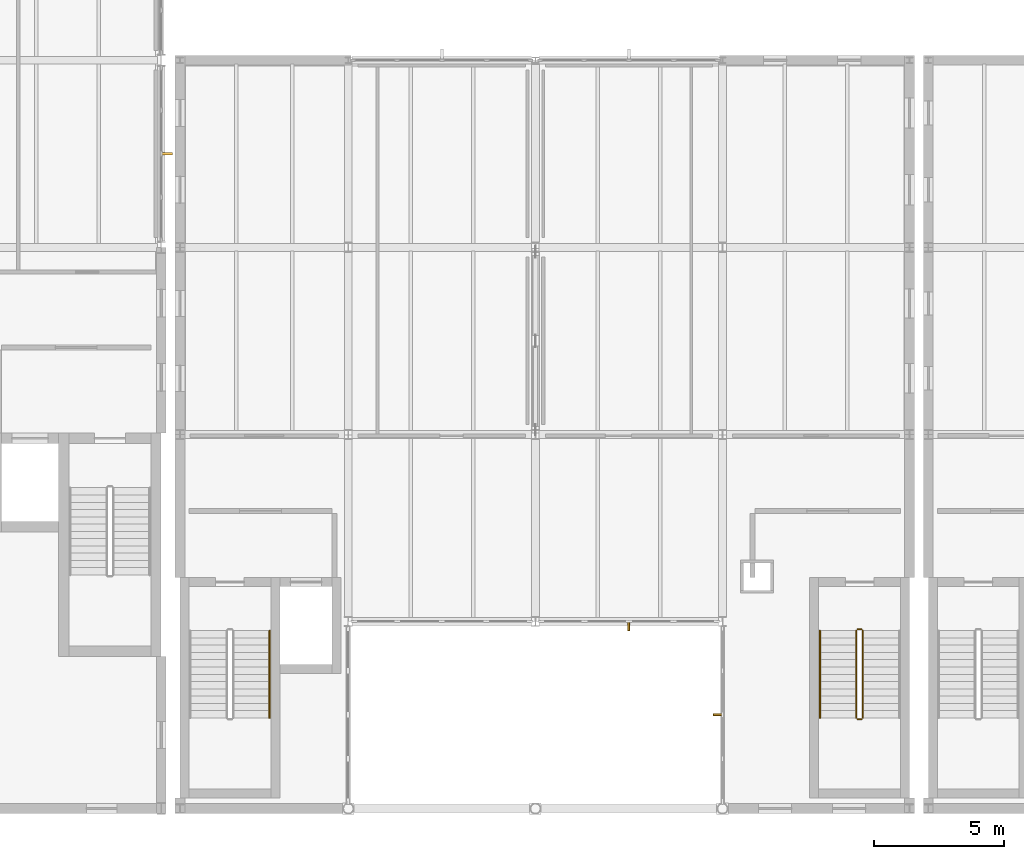
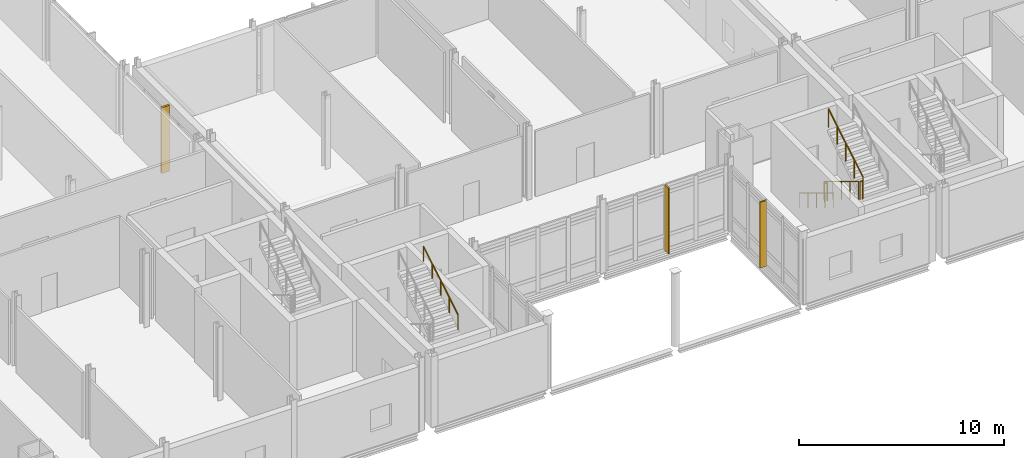
# One storey, part 65 of 72: 6 railings, 3 shading devices.
"""IFC4 building model written with IfcOpenShell, lengths in metres."""

from ifc_helpers import new_model, si_unit, direction, frame, origin, origin_2d, place, context, subcontext, project, spatial, rectangle, circle, extrude, material, layer, layer_set, type_object, element, save


model = new_model("IFC4")

# Units and contexts
model_context = context("Model", 3, precision=1e-05, world=origin(), true_north=direction((0.0, 1.0)))
body_context = subcontext(model_context, "Body", "Model", "MODEL_VIEW")
ifc_project = project(units=[si_unit("LENGTHUNIT", "METRE"), si_unit("AREAUNIT", "SQUARE_METRE"), si_unit("VOLUMEUNIT", "CUBIC_METRE"), si_unit("PLANEANGLEUNIT", "RADIAN"), si_unit("MASSUNIT", "GRAM", prefix="KILO")], contexts=[model_context])

# Site, building, storey
site_placement = place(None, origin())
site = spatial("IfcSite", under=ifc_project, at=site_placement, CompositionType="ELEMENT")
building_placement = place(site_placement, origin())
building = spatial("IfcBuilding", under=site, at=building_placement, Name="Zarrinpeak Specialist Clinic", CompositionType="ELEMENT")
storey_placement = place(building_placement, frame((0.0, 0.0, 9.60009765625)))
storey = spatial("IfcBuildingStorey", under=building, at=storey_placement, Name="L02", CompositionType="ELEMENT", Elevation=9.60009765625)

# Railings
ifc_material_1 = material(Name="Laminated Safety Glass and Stainless Steel 316", Category="steel")
ifc_layer_1 = layer(ifc_material_1, 0.06005859375)
ifc_layer_set_1 = layer_set([ifc_layer_1], Name="Laminated Safety Glass and Stainless Steel 316")
railing_type_1 = type_object("IfcRailingType", Name="RL-GRD115", PredefinedType="GUARDRAIL", material=ifc_layer_set_1)
railing_1_placement = place(storey_placement, frame((55.550048828125, 6.85009765625, 0.169189453125)))
element("IfcRailing", 1, at=railing_1_placement, inside=storey, type_object=railing_type_1, Name="L02 ST-04 stair guard 1", PredefinedType="GUARDRAIL", context=body_context, shape_type="SweptSolid", body=[
    extrude(circle(Radius=0.02392578125, at=origin_2d()), frame((0.0, 0.0, 1.076171875), z_axis=(0.0, -0.855836976705, 0.517245656632), x_axis=(1.0, 0.0, 0.0)), (0.0, 0.0, 1.0), 3.926025390625),
    extrude(circle(Radius=0.02099609375, at=origin_2d()), origin(), (0.0, 0.0, 1.0), 1.052001953125),
    extrude(circle(Radius=0.02099609375, at=origin_2d()), frame((0.0, -0.840087890625, 0.5078125)), (0.0, 0.0, 1.0), 1.052001953125),
    extrude(circle(Radius=0.02099609375, at=origin_2d()), frame((0.0, -1.68017578125, 1.015380859375)), (0.0, 0.0, 1.0), 1.052001953125),
    extrude(circle(Radius=0.02099609375, at=origin_2d()), frame((0.0, -2.52001953125, 1.52294921875)), (0.0, 0.0, 1.0), 1.052001953125),
    extrude(circle(Radius=0.02099609375, at=origin_2d()), frame((0.0, -3.360107421875, 2.03076171875)), (0.0, 0.0, 1.0), 1.052001953125),
])
railing_2_placement = place(storey_placement, frame((55.60009765625, 3.43994140625, 2.199951171875)))
element("IfcRailing", 2, at=railing_2_placement, inside=storey, type_object=railing_type_1, Name="L02 ST-04 stair guard 2", PredefinedType="GUARDRAIL", context=body_context, shape_type="SweptSolid", body=[
    extrude(circle(Radius=0.02392578125, at=origin_2d()), frame((0.0, 0.0, 1.076171875), z_axis=(1.0, 0.0, 0.0), x_axis=(0.0, 1.0, 0.0)), (0.0, 0.0, 1.0), 0.14990234375),
    extrude(circle(Radius=0.02099609375, at=origin_2d()), origin(), (0.0, 0.0, 1.0), 1.052001953125),
    extrude(circle(Radius=0.02099609375, at=origin_2d()), frame((0.14990234375, 0.0, 0.0)), (0.0, 0.0, 1.0), 1.052001953125),
])
railing_3_placement = place(storey_placement, frame((55.800048828125, 3.489990234375, 2.369140625)))
element("IfcRailing", 3, at=railing_3_placement, inside=storey, type_object=railing_type_1, Name="L02 ST-04 stair guard 3", PredefinedType="GUARDRAIL", context=body_context, shape_type="SweptSolid", body=[
    extrude(circle(Radius=0.02392578125, at=origin_2d()), frame((0.0, 0.0, 1.076171875), z_axis=(0.0, 0.855836976705, 0.517245656632), x_axis=(-1.0, 0.0, 0.0)), (0.0, 0.0, 1.0), 3.926025390625),
    extrude(circle(Radius=0.02099609375, at=origin_2d()), origin(), (0.0, 0.0, 1.0), 1.052001953125),
    extrude(circle(Radius=0.02099609375, at=origin_2d()), frame((0.0, 0.840087890625, 0.5078125)), (0.0, 0.0, 1.0), 1.052001953125),
    extrude(circle(Radius=0.02099609375, at=origin_2d()), frame((0.0, 1.68017578125, 1.015380859375)), (0.0, 0.0, 1.0), 1.052001953125),
    extrude(circle(Radius=0.02099609375, at=origin_2d()), frame((0.0, 2.52001953125, 1.52294921875)), (0.0, 0.0, 1.0), 1.052001953125),
    extrude(circle(Radius=0.02099609375, at=origin_2d()), frame((0.0, 3.360107421875, 2.03076171875)), (0.0, 0.0, 1.0), 1.052001953125),
])
railing_4_placement = place(storey_placement, frame((55.60009765625, 6.89990234375, 0.0)))
element("IfcRailing", 4, at=railing_4_placement, inside=storey, type_object=railing_type_1, Name="L02 ST-04 stair guard 4", PredefinedType="GUARDRAIL", context=body_context, shape_type="SweptSolid", body=[
    extrude(circle(Radius=0.02392578125, at=origin_2d()), frame((0.0, 0.0, 1.076171875), z_axis=(1.0, 0.0, 0.0), x_axis=(0.0, 1.0, 0.0)), (0.0, 0.0, 1.0), 0.14990234375),
    extrude(circle(Radius=0.02099609375, at=origin_2d()), origin(), (0.0, 0.0, 1.0), 1.052001953125),
    extrude(circle(Radius=0.02099609375, at=origin_2d()), frame((0.14990234375, 0.0, 0.0)), (0.0, 0.0, 1.0), 1.052001953125),
])
ifc_material_2 = material(Name="Brushed Stainless Steel 316 Handrail", Category="steel")
ifc_layer_2 = layer(ifc_material_2, 0.050048828125)
ifc_layer_set_2 = layer_set([ifc_layer_2], Name="Brushed Stainless Steel 316 Handrail")
railing_type_2 = type_object("IfcRailingType", Name="RL-HND92", PredefinedType="HANDRAIL", material=ifc_layer_set_2)
railing_5_placement = place(storey_placement, frame((32.969970703125, 3.489990234375, 2.369140625)))
element("IfcRailing", 5, at=railing_5_placement, inside=storey, type_object=railing_type_2, Name="L02 ST-03 stair handrail 2", PredefinedType="HANDRAIL", context=body_context, shape_type="SweptSolid", body=[
    extrude(circle(Radius=0.02392578125, at=origin_2d()), frame((0.0, 0.0, 0.8759765625), z_axis=(0.0, 0.855836976705, 0.517245656632), x_axis=(-1.0, 0.0, 0.0)), (0.0, 0.0, 1.0), 3.926025390625),
    extrude(circle(Radius=0.02099609375, at=origin_2d()), origin(), (0.0, 0.0, 1.0), 0.851806640625),
    extrude(circle(Radius=0.02099609375, at=origin_2d()), frame((0.0, 0.840087890625, 0.5078125)), (0.0, 0.0, 1.0), 0.851806640625),
    extrude(circle(Radius=0.02099609375, at=origin_2d()), frame((0.0, 1.68017578125, 1.015380859375)), (0.0, 0.0, 1.0), 0.851806640625),
    extrude(circle(Radius=0.02099609375, at=origin_2d()), frame((0.0, 2.52001953125, 1.52294921875)), (0.0, 0.0, 1.0), 0.851806640625),
    extrude(circle(Radius=0.02099609375, at=origin_2d()), frame((0.0, 3.360107421875, 2.03076171875)), (0.0, 0.0, 1.0), 0.851806640625),
])
railing_6_placement = place(storey_placement, frame((54.14990234375, 6.85009765625, 0.169189453125)))
element("IfcRailing", 6, at=railing_6_placement, inside=storey, type_object=railing_type_2, Name="L02 ST-04 stair handrail 1", PredefinedType="HANDRAIL", context=body_context, shape_type="SweptSolid", body=[
    extrude(circle(Radius=0.02392578125, at=origin_2d()), frame((0.0, 0.0, 0.8759765625), z_axis=(0.0, -0.855836976705, 0.517245656632), x_axis=(1.0, 0.0, 0.0)), (0.0, 0.0, 1.0), 3.926025390625),
    extrude(circle(Radius=0.02099609375, at=origin_2d()), origin(), (0.0, 0.0, 1.0), 0.851806640625),
    extrude(circle(Radius=0.02099609375, at=origin_2d()), frame((0.0, -0.840087890625, 0.5078125)), (0.0, 0.0, 1.0), 0.851806640625),
    extrude(circle(Radius=0.02099609375, at=origin_2d()), frame((0.0, -1.68017578125, 1.015380859375)), (0.0, 0.0, 1.0), 0.851806640625),
    extrude(circle(Radius=0.02099609375, at=origin_2d()), frame((0.0, -2.52001953125, 1.52294921875)), (0.0, 0.0, 1.0), 0.851806640625),
    extrude(circle(Radius=0.02099609375, at=origin_2d()), frame((0.0, -3.360107421875, 2.03076171875)), (0.0, 0.0, 1.0), 0.851806640625),
])

# Shading devices
ifc_material_3 = material(Name="Anodised Bronze Aluminium", Category="aluminium")
shading_device_type_1 = type_object("IfcShadingDeviceType", Name="SHD-FIN-BZ", PredefinedType="JALOUSIE", material=ifc_material_3)
shading_device_1_placement = place(storey_placement, frame((46.800048828125, 7.034912109375, -0.01513671875), z_axis=(0.0, 0.0, 1.0), x_axis=(1.0, 0.0, 0.0)))
element("IfcShadingDevice", 7, at=shading_device_1_placement, inside=storey, type_object=shading_device_type_1, Name="L02 V2 Solar Control Fin FIN-034", PredefinedType="JALOUSIE", context=body_context, shape_type="SweptSolid", body=[
    extrude(rectangle(XDim=0.074951171875, YDim=0.3798828125, at=origin_2d()), origin(), (0.0, 0.0, 1.0), 3.925048828125),
])
shading_device_2_placement = place(storey_placement, frame((50.235107421875, 3.611572265625, -0.01513671875), z_axis=(0.0, 0.0, 1.0), x_axis=(1.0, 0.0, 0.0)))
element("IfcShadingDevice", 8, at=shading_device_2_placement, inside=storey, type_object=shading_device_type_1, Name="L02 V2 Solar Control Fin FIN-035", PredefinedType="JALOUSIE", context=body_context, shape_type="SweptSolid", body=[
    extrude(rectangle(XDim=0.3798828125, YDim=0.074951171875, at=origin_2d()), origin(), (0.0, 0.0, 1.0), 3.9150390625),
])
ifc_material_4 = material(Name="Glulam GL28h", Category="wood")
shading_device_type_2 = type_object("IfcShadingDeviceType", Name="SHD-FIN-GL", PredefinedType="USERDEFINED", material=ifc_material_4)
shading_device_3_placement = place(storey_placement, frame((29.0, 25.199951171875, -0.01513671875), z_axis=(0.0, 0.0, 1.0), x_axis=(1.0, 0.0, 0.0)))
element("IfcShadingDevice", 9, at=shading_device_3_placement, inside=storey, type_object=shading_device_type_2, Name="L02 V1 Cedar-Glulam Courtyard Fin FIN-009", ObjectType="SUNSHADE", PredefinedType="USERDEFINED", context=body_context, shape_type="SweptSolid", body=[
    extrude(rectangle(XDim=0.449951171875, YDim=0.110107421875, at=origin_2d()), origin(), (0.0, 0.0, 1.0), 3.925048828125),
])

save(model, "model.ifc")
